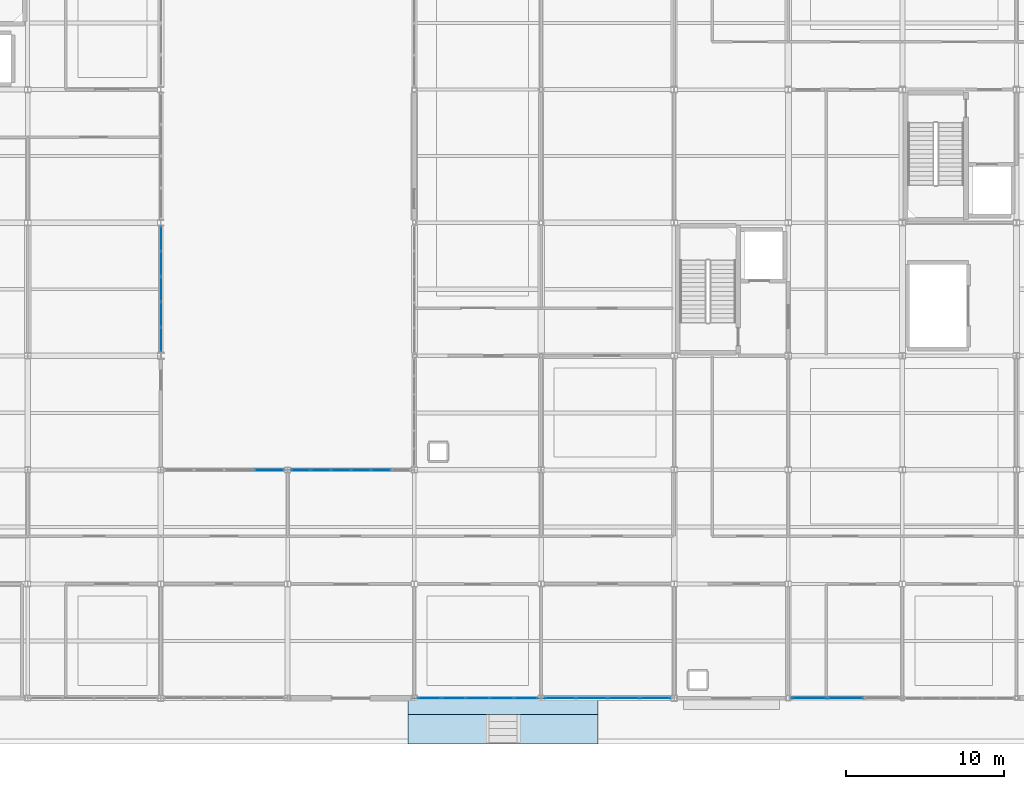
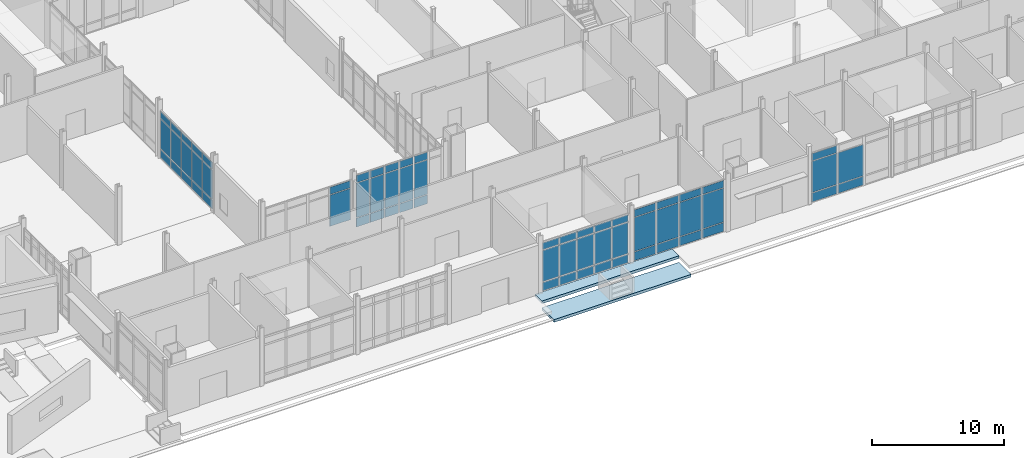
# One storey, part 142 of 229: 64 plates, 2 slabs, 6 elements without a shape of their own.
"""IFC4 building model written with IfcOpenShell, lengths in metres."""

from ifc_helpers import new_model, si_unit, direction, frame, origin, origin_2d, place, context, subcontext, project, spatial, polyline, rectangle, outline, extrude, material, layer, layer_set, type_object, element, aggregate, save


model = new_model("IFC4")

# Units and contexts
model_context = context("Model", 3, precision=1e-05, world=origin(), true_north=direction((0.0, 1.0)))
body_context = subcontext(model_context, "Body", "Model", "MODEL_VIEW")
ifc_project = project(units=[si_unit("LENGTHUNIT", "METRE"), si_unit("AREAUNIT", "SQUARE_METRE"), si_unit("VOLUMEUNIT", "CUBIC_METRE"), si_unit("PLANEANGLEUNIT", "RADIAN"), si_unit("MASSUNIT", "GRAM", prefix="KILO")], contexts=[model_context])

# Site, building, storey
site_placement = place(None, origin())
site = spatial("IfcSite", under=ifc_project, at=site_placement, CompositionType="ELEMENT")
building_placement = place(site_placement, origin())
building = spatial("IfcBuilding", under=site, at=building_placement, Name="Calvrana Isthmian Art Gallery", CompositionType="ELEMENT")
storey_placement = place(building_placement, origin())
storey = spatial("IfcBuildingStorey", under=building, at=storey_placement, Name="L00", CompositionType="ELEMENT", Elevation=0.0)

# Curtain wall, plates
ifc_material_1 = material(Name="Anodized bronze aluminium 6063-T6", Category="aluminium")
ifc_layer_1 = layer(ifc_material_1, 0.179931640625, Name="Anodized bronze aluminium 6063-T6")
ifc_layer_set_1 = layer_set([ifc_layer_1], Name="Anodized bronze aluminium 6063-T6")
curtain_wall_type_1 = type_object("IfcCurtainWallType", Name="CW-UNIT-080X48", PredefinedType="USERDEFINED", material=ifc_layer_set_1)
curtain_wall_1_placement = place(storey_placement, origin())
curtain_wall_1 = element("IfcCurtainWall", 1, at=curtain_wall_1_placement, inside=storey, type_object=curtain_wall_type_1, Name="Curtain wall CW-010", ObjectType="UNITISED CURTAIN WALL", PredefinedType="USERDEFINED")
ifc_material_2 = material(Name="Polychrome glazed terracotta", Category="masonry")
ifc_layer_2 = layer(ifc_material_2, 0.033935546875, Name="Polychrome glazed terracotta")
ifc_layer_set_2 = layer_set([ifc_layer_2], Name="Polychrome glazed terracotta")
plate_type_1 = type_object("IfcPlateType", Name="CWP-SPANDREL-34", PredefinedType="CURTAIN_PANEL", material=ifc_layer_set_2)
plate_1_placement = place(storey_placement, frame((111.591064453125, 0.0, 0.06005859375), z_axis=(0.0, 0.0, 1.0), x_axis=(-1.0, 0.0, 0.0)))
plate_1 = element("IfcPlate", 2, at=plate_1_placement, type_object=plate_type_1, Name="CW-010 panel 1.1", PredefinedType="CURTAIN_PANEL", context=body_context, shape_type="SweptSolid", body=[
    extrude(rectangle(XDim=1.894775390625, YDim=0.033935546875, at=origin_2d()), origin(), (0.0, 0.0, 1.0), 0.81005859375),
])
plate_2_placement = place(storey_placement, frame((111.591064453125, 0.0, 0.93017578125), z_axis=(0.0, 0.0, 1.0), x_axis=(-1.0, 0.0, 0.0)))
plate_2 = element("IfcPlate", 3, at=plate_2_placement, type_object=plate_type_1, Name="CW-010 panel 1.2", PredefinedType="CURTAIN_PANEL", context=body_context, shape_type="SweptSolid", body=[
    extrude(rectangle(XDim=1.894775390625, YDim=0.033935546875, at=origin_2d()), origin(), (0.0, 0.0, 1.0), 3.125244140625),
])
plate_3_placement = place(storey_placement, frame((111.591064453125, 0.0, 4.115234375), z_axis=(0.0, 0.0, 1.0), x_axis=(-1.0, 0.0, 0.0)))
plate_3 = element("IfcPlate", 4, at=plate_3_placement, type_object=plate_type_1, Name="CW-010 panel 1.3", PredefinedType="CURTAIN_PANEL", context=body_context, shape_type="SweptSolid", body=[
    extrude(rectangle(XDim=1.894775390625, YDim=0.033935546875, at=origin_2d()), origin(), (0.0, 0.0, 1.0), 0.659912109375),
])
plate_4_placement = place(storey_placement, frame((109.6025390625, 0.0, 0.06005859375), z_axis=(0.0, 0.0, 1.0), x_axis=(-1.0, 0.0, 0.0)))
plate_4 = element("IfcPlate", 5, at=plate_4_placement, type_object=plate_type_1, Name="CW-010 panel 2.1", PredefinedType="CURTAIN_PANEL", context=body_context, shape_type="SweptSolid", body=[
    extrude(rectangle(XDim=1.932373046875, YDim=0.033935546875, at=origin_2d()), origin(), (0.0, 0.0, 1.0), 0.81005859375),
])
plate_5_placement = place(storey_placement, frame((109.6025390625, 0.0, 0.93017578125), z_axis=(0.0, 0.0, 1.0), x_axis=(-1.0, 0.0, 0.0)))
plate_5 = element("IfcPlate", 6, at=plate_5_placement, type_object=plate_type_1, Name="CW-010 panel 2.2", PredefinedType="CURTAIN_PANEL", context=body_context, shape_type="SweptSolid", body=[
    extrude(rectangle(XDim=1.932373046875, YDim=0.033935546875, at=origin_2d()), origin(), (0.0, 0.0, 1.0), 3.125244140625),
])
plate_6_placement = place(storey_placement, frame((109.6025390625, 0.0, 4.115234375), z_axis=(0.0, 0.0, 1.0), x_axis=(-1.0, 0.0, 0.0)))
plate_6 = element("IfcPlate", 7, at=plate_6_placement, type_object=plate_type_1, Name="CW-010 panel 2.3", PredefinedType="CURTAIN_PANEL", context=body_context, shape_type="SweptSolid", body=[
    extrude(rectangle(XDim=1.932373046875, YDim=0.033935546875, at=origin_2d()), origin(), (0.0, 0.0, 1.0), 0.659912109375),
])
plate_7_placement = place(storey_placement, frame((107.594970703125, 0.0, 0.06005859375), z_axis=(0.0, 0.0, 1.0), x_axis=(-1.0, 0.0, 0.0)))
plate_7 = element("IfcPlate", 8, at=plate_7_placement, type_object=plate_type_1, Name="CW-010 panel 3.1", PredefinedType="CURTAIN_PANEL", context=body_context, shape_type="SweptSolid", body=[
    extrude(rectangle(XDim=1.932373046875, YDim=0.033935546875, at=origin_2d()), origin(), (0.0, 0.0, 1.0), 0.81005859375),
])
plate_8_placement = place(storey_placement, frame((107.594970703125, 0.0, 0.93017578125), z_axis=(0.0, 0.0, 1.0), x_axis=(-1.0, 0.0, 0.0)))
plate_8 = element("IfcPlate", 9, at=plate_8_placement, type_object=plate_type_1, Name="CW-010 panel 3.2", PredefinedType="CURTAIN_PANEL", context=body_context, shape_type="SweptSolid", body=[
    extrude(rectangle(XDim=1.932373046875, YDim=0.033935546875, at=origin_2d()), origin(), (0.0, 0.0, 1.0), 3.125244140625),
])
plate_9_placement = place(storey_placement, frame((107.594970703125, 0.0, 4.115234375), z_axis=(0.0, 0.0, 1.0), x_axis=(-1.0, 0.0, 0.0)))
plate_9 = element("IfcPlate", 10, at=plate_9_placement, type_object=plate_type_1, Name="CW-010 panel 3.3", PredefinedType="CURTAIN_PANEL", context=body_context, shape_type="SweptSolid", body=[
    extrude(rectangle(XDim=1.932373046875, YDim=0.033935546875, at=origin_2d()), origin(), (0.0, 0.0, 1.0), 0.659912109375),
])
plate_10_placement = place(storey_placement, frame((105.6064453125, 0.0, 0.06005859375), z_axis=(0.0, 0.0, 1.0), x_axis=(-1.0, 0.0, 0.0)))
plate_10 = element("IfcPlate", 11, at=plate_10_placement, type_object=plate_type_1, Name="CW-010 panel 4.1", PredefinedType="CURTAIN_PANEL", context=body_context, shape_type="SweptSolid", body=[
    extrude(rectangle(XDim=1.894775390625, YDim=0.033935546875, at=origin_2d()), origin(), (0.0, 0.0, 1.0), 0.81005859375),
])
plate_11_placement = place(storey_placement, frame((105.6064453125, 0.0, 0.93017578125), z_axis=(0.0, 0.0, 1.0), x_axis=(-1.0, 0.0, 0.0)))
plate_11 = element("IfcPlate", 12, at=plate_11_placement, type_object=plate_type_1, Name="CW-010 panel 4.2", PredefinedType="CURTAIN_PANEL", context=body_context, shape_type="SweptSolid", body=[
    extrude(rectangle(XDim=1.894775390625, YDim=0.033935546875, at=origin_2d()), origin(), (0.0, 0.0, 1.0), 3.125244140625),
])
plate_12_placement = place(storey_placement, frame((105.6064453125, 0.0, 4.115234375), z_axis=(0.0, 0.0, 1.0), x_axis=(-1.0, 0.0, 0.0)))
plate_12 = element("IfcPlate", 13, at=plate_12_placement, type_object=plate_type_1, Name="CW-010 panel 4.3", PredefinedType="CURTAIN_PANEL", context=body_context, shape_type="SweptSolid", body=[
    extrude(rectangle(XDim=1.894775390625, YDim=0.033935546875, at=origin_2d()), origin(), (0.0, 0.0, 1.0), 0.659912109375),
])
aggregate(curtain_wall_1, [plate_1, plate_2, plate_3, plate_4, plate_5, plate_6, plate_7, plate_8, plate_9, plate_10, plate_11, plate_12])

ifc_layer_3 = layer(ifc_material_1, 0.179931640625, Name="Anodized bronze aluminium 6063-T6")
ifc_layer_set_3 = layer_set([ifc_layer_3], Name="Anodized bronze aluminium 6063-T6")
curtain_wall_type_2 = type_object("IfcCurtainWallType", Name="CW-UNIT-076X46", PredefinedType="USERDEFINED", material=ifc_layer_set_3)
curtain_wall_2_placement = place(storey_placement, origin())
curtain_wall_2 = element("IfcCurtainWall", 14, at=curtain_wall_2_placement, inside=storey, type_object=curtain_wall_type_2, Name="Curtain wall CW-015", ObjectType="UNITISED CURTAIN WALL", PredefinedType="USERDEFINED")
plate_13_placement = place(storey_placement, frame((87.24462890625, 14.39990234375, 0.929931640625), z_axis=(0.0, 0.0, 1.0), x_axis=(1.0, 0.0, 0.0)))
plate_13 = element("IfcPlate", 15, at=plate_13_placement, type_object=plate_type_1, Name="CW-015 panel 4.2", PredefinedType="CURTAIN_PANEL", context=body_context, shape_type="SweptSolid", body=[
    extrude(rectangle(XDim=1.802734375, YDim=0.033935546875, at=origin_2d()), origin(), (0.0, 0.0, 1.0), 2.89697265625),
])
plate_14_placement = place(storey_placement, frame((87.24462890625, 14.39990234375, 3.88720703125), z_axis=(0.0, 0.0, 1.0), x_axis=(1.0, 0.0, 0.0)))
plate_14 = element("IfcPlate", 16, at=plate_14_placement, type_object=plate_type_1, Name="CW-015 panel 4.3", PredefinedType="CURTAIN_PANEL", context=body_context, shape_type="SweptSolid", body=[
    extrude(rectangle(XDim=1.802734375, YDim=0.033935546875, at=origin_2d()), origin(), (0.0, 0.0, 1.0), 0.659912109375),
])
aggregate(curtain_wall_2, [plate_13, plate_14])

curtain_wall_3_placement = place(storey_placement, origin())
curtain_wall_3 = element("IfcCurtainWall", 17, at=curtain_wall_3_placement, inside=storey, type_object=curtain_wall_type_2, Name="Curtain wall CW-009", ObjectType="UNITISED CURTAIN WALL", PredefinedType="USERDEFINED")
ifc_material_3 = material(Name="Low-E laminated solar glass", Category="glass")
ifc_layer_4 = layer(ifc_material_3, 0.028076171875, Name="Low-E laminated solar glass")
ifc_layer_set_4 = layer_set([ifc_layer_4], Name="Low-E laminated solar glass")
plate_type_2 = type_object("IfcPlateType", Name="CWP-VISION-28", PredefinedType="CURTAIN_PANEL", material=ifc_layer_set_4)
plate_15_placement = place(storey_placement, frame((103.435546875, 0.0, 0.074951171875), z_axis=(0.0, 0.0, 1.0), x_axis=(-1.0, 0.0, 0.0)))
plate_15 = element("IfcPlate", 18, at=plate_15_placement, type_object=plate_type_2, Name="CW-009 panel 1.1", PredefinedType="CURTAIN_PANEL", context=body_context, shape_type="SweptSolid", body=[
    extrude(rectangle(XDim=1.421142578125, YDim=0.028076171875, at=origin_2d()), origin(), (0.0, 0.0, 1.0), 0.78759765625),
])
plate_16_placement = place(storey_placement, frame((103.435546875, 0.0, 0.9375), z_axis=(0.0, 0.0, 1.0), x_axis=(-1.0, 0.0, 0.0)))
plate_16 = element("IfcPlate", 19, at=plate_16_placement, type_object=plate_type_2, Name="CW-009 panel 1.2", PredefinedType="CURTAIN_PANEL", context=body_context, shape_type="SweptSolid", body=[
    extrude(rectangle(XDim=1.421142578125, YDim=0.028076171875, at=origin_2d()), origin(), (0.0, 0.0, 1.0), 2.882080078125),
])
plate_17_placement = place(storey_placement, frame((103.435546875, 0.0, 3.89453125), z_axis=(0.0, 0.0, 1.0), x_axis=(-1.0, 0.0, 0.0)))
plate_17 = element("IfcPlate", 20, at=plate_17_placement, type_object=plate_type_2, Name="CW-009 panel 1.3", PredefinedType="CURTAIN_PANEL", context=body_context, shape_type="SweptSolid", body=[
    extrude(rectangle(XDim=1.421142578125, YDim=0.028076171875, at=origin_2d()), origin(), (0.0, 0.0, 1.0), 0.637451171875),
])
plate_18_placement = place(storey_placement, frame((101.9267578125, 0.0, 0.074951171875), z_axis=(0.0, 0.0, 1.0), x_axis=(-1.0, 0.0, 0.0)))
plate_18 = element("IfcPlate", 21, at=plate_18_placement, type_object=plate_type_2, Name="CW-009 panel 2.1", PredefinedType="CURTAIN_PANEL", context=body_context, shape_type="SweptSolid", body=[
    extrude(rectangle(XDim=1.4560546875, YDim=0.028076171875, at=origin_2d()), origin(), (0.0, 0.0, 1.0), 0.78759765625),
])
plate_19_placement = place(storey_placement, frame((101.9267578125, 0.0, 0.9375), z_axis=(0.0, 0.0, 1.0), x_axis=(-1.0, 0.0, 0.0)))
plate_19 = element("IfcPlate", 22, at=plate_19_placement, type_object=plate_type_2, Name="CW-009 panel 2.2", PredefinedType="CURTAIN_PANEL", context=body_context, shape_type="SweptSolid", body=[
    extrude(rectangle(XDim=1.4560546875, YDim=0.028076171875, at=origin_2d()), origin(), (0.0, 0.0, 1.0), 2.882080078125),
])
plate_20_placement = place(storey_placement, frame((101.9267578125, 0.0, 3.89453125), z_axis=(0.0, 0.0, 1.0), x_axis=(-1.0, 0.0, 0.0)))
plate_20 = element("IfcPlate", 23, at=plate_20_placement, type_object=plate_type_2, Name="CW-009 panel 2.3", PredefinedType="CURTAIN_PANEL", context=body_context, shape_type="SweptSolid", body=[
    extrude(rectangle(XDim=1.4560546875, YDim=0.028076171875, at=origin_2d()), origin(), (0.0, 0.0, 1.0), 0.637451171875),
])
plate_21_placement = place(storey_placement, frame((100.400634765625, 0.0, 0.074951171875), z_axis=(0.0, 0.0, 1.0), x_axis=(-1.0, 0.0, 0.0)))
plate_21 = element("IfcPlate", 24, at=plate_21_placement, type_object=plate_type_2, Name="CW-009 panel 3.1", PredefinedType="CURTAIN_PANEL", context=body_context, shape_type="SweptSolid", body=[
    extrude(rectangle(XDim=1.4560546875, YDim=0.028076171875, at=origin_2d()), origin(), (0.0, 0.0, 1.0), 0.78759765625),
])
plate_22_placement = place(storey_placement, frame((100.400634765625, 0.0, 0.9375), z_axis=(0.0, 0.0, 1.0), x_axis=(-1.0, 0.0, 0.0)))
plate_22 = element("IfcPlate", 25, at=plate_22_placement, type_object=plate_type_2, Name="CW-009 panel 3.2", PredefinedType="CURTAIN_PANEL", context=body_context, shape_type="SweptSolid", body=[
    extrude(rectangle(XDim=1.4560546875, YDim=0.028076171875, at=origin_2d()), origin(), (0.0, 0.0, 1.0), 2.882080078125),
])
plate_23_placement = place(storey_placement, frame((100.400634765625, 0.0, 3.89453125), z_axis=(0.0, 0.0, 1.0), x_axis=(-1.0, 0.0, 0.0)))
plate_23 = element("IfcPlate", 26, at=plate_23_placement, type_object=plate_type_2, Name="CW-009 panel 3.3", PredefinedType="CURTAIN_PANEL", context=body_context, shape_type="SweptSolid", body=[
    extrude(rectangle(XDim=1.4560546875, YDim=0.028076171875, at=origin_2d()), origin(), (0.0, 0.0, 1.0), 0.637451171875),
])
plate_24_placement = place(storey_placement, frame((98.874755859375, 0.0, 0.074951171875), z_axis=(0.0, 0.0, 1.0), x_axis=(-1.0, 0.0, 0.0)))
plate_24 = element("IfcPlate", 27, at=plate_24_placement, type_object=plate_type_2, Name="CW-009 panel 4.1", PredefinedType="CURTAIN_PANEL", context=body_context, shape_type="SweptSolid", body=[
    extrude(rectangle(XDim=1.4560546875, YDim=0.028076171875, at=origin_2d()), origin(), (0.0, 0.0, 1.0), 0.78759765625),
])
plate_25_placement = place(storey_placement, frame((98.874755859375, 0.0, 0.9375), z_axis=(0.0, 0.0, 1.0), x_axis=(-1.0, 0.0, 0.0)))
plate_25 = element("IfcPlate", 28, at=plate_25_placement, type_object=plate_type_2, Name="CW-009 panel 4.2", PredefinedType="CURTAIN_PANEL", context=body_context, shape_type="SweptSolid", body=[
    extrude(rectangle(XDim=1.4560546875, YDim=0.028076171875, at=origin_2d()), origin(), (0.0, 0.0, 1.0), 2.882080078125),
])
plate_26_placement = place(storey_placement, frame((98.874755859375, 0.0, 3.89453125), z_axis=(0.0, 0.0, 1.0), x_axis=(-1.0, 0.0, 0.0)))
plate_26 = element("IfcPlate", 29, at=plate_26_placement, type_object=plate_type_2, Name="CW-009 panel 4.3", PredefinedType="CURTAIN_PANEL", context=body_context, shape_type="SweptSolid", body=[
    extrude(rectangle(XDim=1.4560546875, YDim=0.028076171875, at=origin_2d()), origin(), (0.0, 0.0, 1.0), 0.637451171875),
])
plate_27_placement = place(storey_placement, frame((97.365966796875, 0.0, 0.074951171875), z_axis=(0.0, 0.0, 1.0), x_axis=(-1.0, 0.0, 0.0)))
plate_27 = element("IfcPlate", 30, at=plate_27_placement, type_object=plate_type_2, Name="CW-009 panel 5.1", PredefinedType="CURTAIN_PANEL", context=body_context, shape_type="SweptSolid", body=[
    extrude(rectangle(XDim=1.421142578125, YDim=0.028076171875, at=origin_2d()), origin(), (0.0, 0.0, 1.0), 0.78759765625),
])
plate_28_placement = place(storey_placement, frame((97.365966796875, 0.0, 0.9375), z_axis=(0.0, 0.0, 1.0), x_axis=(-1.0, 0.0, 0.0)))
plate_28 = element("IfcPlate", 31, at=plate_28_placement, type_object=plate_type_2, Name="CW-009 panel 5.2", PredefinedType="CURTAIN_PANEL", context=body_context, shape_type="SweptSolid", body=[
    extrude(rectangle(XDim=1.421142578125, YDim=0.028076171875, at=origin_2d()), origin(), (0.0, 0.0, 1.0), 2.882080078125),
])
plate_29_placement = place(storey_placement, frame((97.365966796875, 0.0, 3.89453125), z_axis=(0.0, 0.0, 1.0), x_axis=(-1.0, 0.0, 0.0)))
plate_29 = element("IfcPlate", 32, at=plate_29_placement, type_object=plate_type_2, Name="CW-009 panel 5.3", PredefinedType="CURTAIN_PANEL", context=body_context, shape_type="SweptSolid", body=[
    extrude(rectangle(XDim=1.421142578125, YDim=0.028076171875, at=origin_2d()), origin(), (0.0, 0.0, 1.0), 0.637451171875),
])
aggregate(curtain_wall_3, [plate_15, plate_16, plate_17, plate_18, plate_19, plate_20, plate_21, plate_22, plate_23, plate_24, plate_25, plate_26, plate_27, plate_28, plate_29])

ifc_layer_5 = layer(ifc_material_1, 0.179931640625, Name="Anodized bronze aluminium 6063-T6")
ifc_layer_set_5 = layer_set([ifc_layer_5], Name="Anodized bronze aluminium 6063-T6")
curtain_wall_type_3 = type_object("IfcCurtainWallType", Name="CW-STICK-069X46", PredefinedType="NOTDEFINED", material=ifc_layer_set_5)
curtain_wall_4_placement = place(storey_placement, origin())
curtain_wall_4 = element("IfcCurtainWall", 33, at=curtain_wall_4_placement, inside=storey, type_object=curtain_wall_type_3, Name="Curtain wall CW-011", PredefinedType="NOTDEFINED")
plate_30_placement = place(storey_placement, frame((123.62548828125, 0.0, 0.06005859375), z_axis=(0.0, 0.0, 1.0), x_axis=(-1.0, 0.0, 0.0)))
plate_30 = element("IfcPlate", 34, at=plate_30_placement, type_object=plate_type_2, Name="CW-011 panel 2.1", PredefinedType="CURTAIN_PANEL", context=body_context, shape_type="SweptSolid", body=[
    extrude(rectangle(XDim=2.2353515625, YDim=0.028076171875, at=origin_2d()), origin(), (0.0, 0.0, 1.0), 0.81005859375),
])
plate_31_placement = place(storey_placement, frame((123.62548828125, 0.0, 0.93017578125), z_axis=(0.0, 0.0, 1.0), x_axis=(-1.0, 0.0, 0.0)))
plate_31 = element("IfcPlate", 35, at=plate_31_placement, type_object=plate_type_2, Name="CW-011 panel 2.2", PredefinedType="CURTAIN_PANEL", context=body_context, shape_type="SweptSolid", body=[
    extrude(rectangle(XDim=2.2353515625, YDim=0.028076171875, at=origin_2d()), origin(), (0.0, 0.0, 1.0), 2.881103515625),
])
plate_32_placement = place(storey_placement, frame((121.330078125, 0.0, 0.06005859375), z_axis=(0.0, 0.0, 1.0), x_axis=(-1.0, 0.0, 0.0)))
plate_32 = element("IfcPlate", 36, at=plate_32_placement, type_object=plate_type_2, Name="CW-011 panel 3.1", PredefinedType="CURTAIN_PANEL", context=body_context, shape_type="SweptSolid", body=[
    extrude(rectangle(XDim=2.1953125, YDim=0.028076171875, at=origin_2d()), origin(), (0.0, 0.0, 1.0), 0.81005859375),
])
plate_33_placement = place(storey_placement, frame((121.330078125, 0.0, 0.93017578125), z_axis=(0.0, 0.0, 1.0), x_axis=(-1.0, 0.0, 0.0)))
plate_33 = element("IfcPlate", 37, at=plate_33_placement, type_object=plate_type_2, Name="CW-011 panel 3.2", PredefinedType="CURTAIN_PANEL", context=body_context, shape_type="SweptSolid", body=[
    extrude(rectangle(XDim=2.1953125, YDim=0.028076171875, at=origin_2d()), origin(), (0.0, 0.0, 1.0), 2.881103515625),
])
plate_34_placement = place(storey_placement, frame((121.330078125, 0.0, 3.87109375), z_axis=(0.0, 0.0, 1.0), x_axis=(-1.0, 0.0, 0.0)))
plate_34 = element("IfcPlate", 38, at=plate_34_placement, type_object=plate_type_2, Name="CW-011 panel 3.3", PredefinedType="CURTAIN_PANEL", context=body_context, shape_type="SweptSolid", body=[
    extrude(rectangle(XDim=2.1953125, YDim=0.028076171875, at=origin_2d()), origin(), (0.0, 0.0, 1.0), 0.659912109375),
])
aggregate(curtain_wall_4, [plate_30, plate_31, plate_32, plate_33, plate_34])

ifc_layer_6 = layer(ifc_material_1, 0.179931640625, Name="Anodized bronze aluminium 6063-T6")
ifc_layer_set_6 = layer_set([ifc_layer_6], Name="Anodized bronze aluminium 6063-T6")
curtain_wall_type_4 = type_object("IfcCurtainWallType", Name="CW-STICK-076X49", PredefinedType="NOTDEFINED", material=ifc_layer_set_6)
curtain_wall_5_placement = place(storey_placement, origin())
curtain_wall_5 = element("IfcCurtainWall", 39, at=curtain_wall_5_placement, inside=storey, type_object=curtain_wall_type_4, Name="Curtain wall CW-016", PredefinedType="NOTDEFINED")
plate_35_placement = place(storey_placement, frame((89.238525390625, 14.39990234375, 0.06005859375), z_axis=(0.0, 0.0, 1.0), x_axis=(1.0, 0.0, 0.0)))
plate_35 = element("IfcPlate", 40, at=plate_35_placement, type_object=plate_type_2, Name="CW-016 panel 1.1", PredefinedType="CURTAIN_PANEL", context=body_context, shape_type="SweptSolid", body=[
    extrude(rectangle(XDim=1.1591796875, YDim=0.028076171875, at=origin_2d()), origin(), (0.0, 0.0, 1.0), 0.81005859375),
])
plate_36_placement = place(storey_placement, frame((89.238525390625, 14.39990234375, 0.93017578125), z_axis=(0.0, 0.0, 1.0), x_axis=(1.0, 0.0, 0.0)))
plate_36 = element("IfcPlate", 41, at=plate_36_placement, type_object=plate_type_2, Name="CW-016 panel 1.2", PredefinedType="CURTAIN_PANEL", context=body_context, shape_type="SweptSolid", body=[
    extrude(rectangle(XDim=1.1591796875, YDim=0.028076171875, at=origin_2d()), origin(), (0.0, 0.0, 1.0), 3.176025390625),
])
plate_37_placement = place(storey_placement, frame((89.238525390625, 14.39990234375, 4.166015625), z_axis=(0.0, 0.0, 1.0), x_axis=(1.0, 0.0, 0.0)))
plate_37 = element("IfcPlate", 42, at=plate_37_placement, type_object=plate_type_2, Name="CW-016 panel 1.3", PredefinedType="CURTAIN_PANEL", context=body_context, shape_type="SweptSolid", body=[
    extrude(rectangle(XDim=1.1591796875, YDim=0.028076171875, at=origin_2d()), origin(), (0.0, 0.0, 1.0), 0.659912109375),
])
plate_38_placement = place(storey_placement, frame((90.491455078125, 14.39990234375, 0.06005859375), z_axis=(0.0, 0.0, 1.0), x_axis=(1.0, 0.0, 0.0)))
plate_38 = element("IfcPlate", 43, at=plate_38_placement, type_object=plate_type_2, Name="CW-016 panel 2.1", PredefinedType="CURTAIN_PANEL", context=body_context, shape_type="SweptSolid", body=[
    extrude(rectangle(XDim=1.196533203125, YDim=0.028076171875, at=origin_2d()), origin(), (0.0, 0.0, 1.0), 0.81005859375),
])
plate_39_placement = place(storey_placement, frame((90.491455078125, 14.39990234375, 0.93017578125), z_axis=(0.0, 0.0, 1.0), x_axis=(1.0, 0.0, 0.0)))
plate_39 = element("IfcPlate", 44, at=plate_39_placement, type_object=plate_type_2, Name="CW-016 panel 2.2", PredefinedType="CURTAIN_PANEL", context=body_context, shape_type="SweptSolid", body=[
    extrude(rectangle(XDim=1.196533203125, YDim=0.028076171875, at=origin_2d()), origin(), (0.0, 0.0, 1.0), 3.176025390625),
])
plate_40_placement = place(storey_placement, frame((90.491455078125, 14.39990234375, 4.166015625), z_axis=(0.0, 0.0, 1.0), x_axis=(1.0, 0.0, 0.0)))
plate_40 = element("IfcPlate", 45, at=plate_40_placement, type_object=plate_type_2, Name="CW-016 panel 2.3", PredefinedType="CURTAIN_PANEL", context=body_context, shape_type="SweptSolid", body=[
    extrude(rectangle(XDim=1.196533203125, YDim=0.028076171875, at=origin_2d()), origin(), (0.0, 0.0, 1.0), 0.659912109375),
])
plate_41_placement = place(storey_placement, frame((91.762939453125, 14.39990234375, 0.06005859375), z_axis=(0.0, 0.0, 1.0), x_axis=(1.0, 0.0, 0.0)))
plate_41 = element("IfcPlate", 46, at=plate_41_placement, type_object=plate_type_2, Name="CW-016 panel 3.1", PredefinedType="CURTAIN_PANEL", context=body_context, shape_type="SweptSolid", body=[
    extrude(rectangle(XDim=1.196533203125, YDim=0.028076171875, at=origin_2d()), origin(), (0.0, 0.0, 1.0), 0.81005859375),
])
plate_42_placement = place(storey_placement, frame((91.762939453125, 14.39990234375, 0.93017578125), z_axis=(0.0, 0.0, 1.0), x_axis=(1.0, 0.0, 0.0)))
plate_42 = element("IfcPlate", 47, at=plate_42_placement, type_object=plate_type_2, Name="CW-016 panel 3.2", PredefinedType="CURTAIN_PANEL", context=body_context, shape_type="SweptSolid", body=[
    extrude(rectangle(XDim=1.196533203125, YDim=0.028076171875, at=origin_2d()), origin(), (0.0, 0.0, 1.0), 3.176025390625),
])
plate_43_placement = place(storey_placement, frame((91.762939453125, 14.39990234375, 4.166015625), z_axis=(0.0, 0.0, 1.0), x_axis=(1.0, 0.0, 0.0)))
plate_43 = element("IfcPlate", 48, at=plate_43_placement, type_object=plate_type_2, Name="CW-016 panel 3.3", PredefinedType="CURTAIN_PANEL", context=body_context, shape_type="SweptSolid", body=[
    extrude(rectangle(XDim=1.196533203125, YDim=0.028076171875, at=origin_2d()), origin(), (0.0, 0.0, 1.0), 0.659912109375),
])
plate_44_placement = place(storey_placement, frame((93.034423828125, 14.39990234375, 0.06005859375), z_axis=(0.0, 0.0, 1.0), x_axis=(1.0, 0.0, 0.0)))
plate_44 = element("IfcPlate", 49, at=plate_44_placement, type_object=plate_type_2, Name="CW-016 panel 4.1", PredefinedType="CURTAIN_PANEL", context=body_context, shape_type="SweptSolid", body=[
    extrude(rectangle(XDim=1.196533203125, YDim=0.028076171875, at=origin_2d()), origin(), (0.0, 0.0, 1.0), 0.81005859375),
])
plate_45_placement = place(storey_placement, frame((93.034423828125, 14.39990234375, 0.93017578125), z_axis=(0.0, 0.0, 1.0), x_axis=(1.0, 0.0, 0.0)))
plate_45 = element("IfcPlate", 50, at=plate_45_placement, type_object=plate_type_2, Name="CW-016 panel 4.2", PredefinedType="CURTAIN_PANEL", context=body_context, shape_type="SweptSolid", body=[
    extrude(rectangle(XDim=1.196533203125, YDim=0.028076171875, at=origin_2d()), origin(), (0.0, 0.0, 1.0), 3.176025390625),
])
plate_46_placement = place(storey_placement, frame((93.034423828125, 14.39990234375, 4.166015625), z_axis=(0.0, 0.0, 1.0), x_axis=(1.0, 0.0, 0.0)))
plate_46 = element("IfcPlate", 51, at=plate_46_placement, type_object=plate_type_2, Name="CW-016 panel 4.3", PredefinedType="CURTAIN_PANEL", context=body_context, shape_type="SweptSolid", body=[
    extrude(rectangle(XDim=1.196533203125, YDim=0.028076171875, at=origin_2d()), origin(), (0.0, 0.0, 1.0), 0.659912109375),
])
plate_47_placement = place(storey_placement, frame((94.30615234375, 14.39990234375, 0.06005859375), z_axis=(0.0, 0.0, 1.0), x_axis=(1.0, 0.0, 0.0)))
plate_47 = element("IfcPlate", 52, at=plate_47_placement, type_object=plate_type_2, Name="CW-016 panel 5.1", PredefinedType="CURTAIN_PANEL", context=body_context, shape_type="SweptSolid", body=[
    extrude(rectangle(XDim=1.196533203125, YDim=0.028076171875, at=origin_2d()), origin(), (0.0, 0.0, 1.0), 0.81005859375),
])
plate_48_placement = place(storey_placement, frame((94.30615234375, 14.39990234375, 0.93017578125), z_axis=(0.0, 0.0, 1.0), x_axis=(1.0, 0.0, 0.0)))
plate_48 = element("IfcPlate", 53, at=plate_48_placement, type_object=plate_type_2, Name="CW-016 panel 5.2", PredefinedType="CURTAIN_PANEL", context=body_context, shape_type="SweptSolid", body=[
    extrude(rectangle(XDim=1.196533203125, YDim=0.028076171875, at=origin_2d()), origin(), (0.0, 0.0, 1.0), 3.176025390625),
])
plate_49_placement = place(storey_placement, frame((94.30615234375, 14.39990234375, 4.166015625), z_axis=(0.0, 0.0, 1.0), x_axis=(1.0, 0.0, 0.0)))
plate_49 = element("IfcPlate", 54, at=plate_49_placement, type_object=plate_type_2, Name="CW-016 panel 5.3", PredefinedType="CURTAIN_PANEL", context=body_context, shape_type="SweptSolid", body=[
    extrude(rectangle(XDim=1.196533203125, YDim=0.028076171875, at=origin_2d()), origin(), (0.0, 0.0, 1.0), 0.659912109375),
])
aggregate(curtain_wall_5, [plate_35, plate_36, plate_37, plate_38, plate_39, plate_40, plate_41, plate_42, plate_43, plate_44, plate_45, plate_46, plate_47, plate_48, plate_49])

ifc_layer_7 = layer(ifc_material_1, 0.179931640625, Name="Anodized bronze aluminium 6063-T6")
ifc_layer_set_7 = layer_set([ifc_layer_7], Name="Anodized bronze aluminium 6063-T6")
curtain_wall_type_5 = type_object("IfcCurtainWallType", Name="CW-UNIT-080X44", PredefinedType="USERDEFINED", material=ifc_layer_set_7)
curtain_wall_6_placement = place(storey_placement, origin())
curtain_wall_6 = element("IfcCurtainWall", 55, at=curtain_wall_6_placement, inside=storey, type_object=curtain_wall_type_5, Name="Curtain wall CW-069", ObjectType="UNITISED CURTAIN WALL", PredefinedType="USERDEFINED")
plate_50_placement = place(storey_placement, frame((80.39990234375, 28.98974609375, 0.074951171875), z_axis=(0.0, 0.0, 1.0), x_axis=(0.0, -1.0, 0.0)))
plate_50 = element("IfcPlate", 56, at=plate_50_placement, type_object=plate_type_2, Name="CW-069 panel 1.1", PredefinedType="CURTAIN_PANEL", context=body_context, shape_type="SweptSolid", body=[
    extrude(rectangle(XDim=1.49462890625, YDim=0.028076171875, at=origin_2d()), origin(), (0.0, 0.0, 1.0), 0.78759765625),
])
plate_51_placement = place(storey_placement, frame((80.39990234375, 28.98974609375, 0.9375), z_axis=(0.0, 0.0, 1.0), x_axis=(0.0, -1.0, 0.0)))
plate_51 = element("IfcPlate", 57, at=plate_51_placement, type_object=plate_type_2, Name="CW-069 panel 1.2", PredefinedType="CURTAIN_PANEL", context=body_context, shape_type="SweptSolid", body=[
    extrude(rectangle(XDim=1.49462890625, YDim=0.028076171875, at=origin_2d()), origin(), (0.0, 0.0, 1.0), 2.721923828125),
])
plate_52_placement = place(storey_placement, frame((80.39990234375, 28.98974609375, 3.734375), z_axis=(0.0, 0.0, 1.0), x_axis=(0.0, -1.0, 0.0)))
plate_52 = element("IfcPlate", 58, at=plate_52_placement, type_object=plate_type_2, Name="CW-069 panel 1.3", PredefinedType="CURTAIN_PANEL", context=body_context, shape_type="SweptSolid", body=[
    extrude(rectangle(XDim=1.49462890625, YDim=0.028076171875, at=origin_2d()), origin(), (0.0, 0.0, 1.0), 0.637451171875),
])
plate_53_placement = place(storey_placement, frame((80.39990234375, 27.407470703125, 0.074951171875), z_axis=(0.0, 0.0, 1.0), x_axis=(0.0, -1.0, 0.0)))
plate_53 = element("IfcPlate", 59, at=plate_53_placement, type_object=plate_type_2, Name="CW-069 panel 2.1", PredefinedType="CURTAIN_PANEL", context=body_context, shape_type="SweptSolid", body=[
    extrude(rectangle(XDim=1.52978515625, YDim=0.028076171875, at=origin_2d()), origin(), (0.0, 0.0, 1.0), 0.78759765625),
])
plate_54_placement = place(storey_placement, frame((80.39990234375, 27.407470703125, 0.9375), z_axis=(0.0, 0.0, 1.0), x_axis=(0.0, -1.0, 0.0)))
plate_54 = element("IfcPlate", 60, at=plate_54_placement, type_object=plate_type_2, Name="CW-069 panel 2.2", PredefinedType="CURTAIN_PANEL", context=body_context, shape_type="SweptSolid", body=[
    extrude(rectangle(XDim=1.52978515625, YDim=0.028076171875, at=origin_2d()), origin(), (0.0, 0.0, 1.0), 2.721923828125),
])
plate_55_placement = place(storey_placement, frame((80.39990234375, 27.407470703125, 3.734375), z_axis=(0.0, 0.0, 1.0), x_axis=(0.0, -1.0, 0.0)))
plate_55 = element("IfcPlate", 61, at=plate_55_placement, type_object=plate_type_2, Name="CW-069 panel 2.3", PredefinedType="CURTAIN_PANEL", context=body_context, shape_type="SweptSolid", body=[
    extrude(rectangle(XDim=1.52978515625, YDim=0.028076171875, at=origin_2d()), origin(), (0.0, 0.0, 1.0), 0.637451171875),
])
plate_56_placement = place(storey_placement, frame((80.39990234375, 25.807861328125, 0.074951171875), z_axis=(0.0, 0.0, 1.0), x_axis=(0.0, -1.0, 0.0)))
plate_56 = element("IfcPlate", 62, at=plate_56_placement, type_object=plate_type_2, Name="CW-069 panel 3.1", PredefinedType="CURTAIN_PANEL", context=body_context, shape_type="SweptSolid", body=[
    extrude(rectangle(XDim=1.52978515625, YDim=0.028076171875, at=origin_2d()), origin(), (0.0, 0.0, 1.0), 0.78759765625),
])
plate_57_placement = place(storey_placement, frame((80.39990234375, 25.807861328125, 0.9375), z_axis=(0.0, 0.0, 1.0), x_axis=(0.0, -1.0, 0.0)))
plate_57 = element("IfcPlate", 63, at=plate_57_placement, type_object=plate_type_2, Name="CW-069 panel 3.2", PredefinedType="CURTAIN_PANEL", context=body_context, shape_type="SweptSolid", body=[
    extrude(rectangle(XDim=1.52978515625, YDim=0.028076171875, at=origin_2d()), origin(), (0.0, 0.0, 1.0), 2.721923828125),
])
plate_58_placement = place(storey_placement, frame((80.39990234375, 25.807861328125, 3.734375), z_axis=(0.0, 0.0, 1.0), x_axis=(0.0, -1.0, 0.0)))
plate_58 = element("IfcPlate", 64, at=plate_58_placement, type_object=plate_type_2, Name="CW-069 panel 3.3", PredefinedType="CURTAIN_PANEL", context=body_context, shape_type="SweptSolid", body=[
    extrude(rectangle(XDim=1.52978515625, YDim=0.028076171875, at=origin_2d()), origin(), (0.0, 0.0, 1.0), 0.637451171875),
])
plate_59_placement = place(storey_placement, frame((80.39990234375, 24.2080078125, 0.074951171875), z_axis=(0.0, 0.0, 1.0), x_axis=(0.0, -1.0, 0.0)))
plate_59 = element("IfcPlate", 65, at=plate_59_placement, type_object=plate_type_2, Name="CW-069 panel 4.1", PredefinedType="CURTAIN_PANEL", context=body_context, shape_type="SweptSolid", body=[
    extrude(rectangle(XDim=1.52978515625, YDim=0.028076171875, at=origin_2d()), origin(), (0.0, 0.0, 1.0), 0.78759765625),
])
plate_60_placement = place(storey_placement, frame((80.39990234375, 24.2080078125, 0.9375), z_axis=(0.0, 0.0, 1.0), x_axis=(0.0, -1.0, 0.0)))
plate_60 = element("IfcPlate", 66, at=plate_60_placement, type_object=plate_type_2, Name="CW-069 panel 4.2", PredefinedType="CURTAIN_PANEL", context=body_context, shape_type="SweptSolid", body=[
    extrude(rectangle(XDim=1.52978515625, YDim=0.028076171875, at=origin_2d()), origin(), (0.0, 0.0, 1.0), 2.721923828125),
])
plate_61_placement = place(storey_placement, frame((80.39990234375, 24.2080078125, 3.734375), z_axis=(0.0, 0.0, 1.0), x_axis=(0.0, -1.0, 0.0)))
plate_61 = element("IfcPlate", 67, at=plate_61_placement, type_object=plate_type_2, Name="CW-069 panel 4.3", PredefinedType="CURTAIN_PANEL", context=body_context, shape_type="SweptSolid", body=[
    extrude(rectangle(XDim=1.52978515625, YDim=0.028076171875, at=origin_2d()), origin(), (0.0, 0.0, 1.0), 0.637451171875),
])
plate_62_placement = place(storey_placement, frame((80.39990234375, 22.625732421875, 0.074951171875), z_axis=(0.0, 0.0, 1.0), x_axis=(0.0, -1.0, 0.0)))
plate_62 = element("IfcPlate", 68, at=plate_62_placement, type_object=plate_type_2, Name="CW-069 panel 5.1", PredefinedType="CURTAIN_PANEL", context=body_context, shape_type="SweptSolid", body=[
    extrude(rectangle(XDim=1.49462890625, YDim=0.028076171875, at=origin_2d()), origin(), (0.0, 0.0, 1.0), 0.78759765625),
])
plate_63_placement = place(storey_placement, frame((80.39990234375, 22.625732421875, 0.9375), z_axis=(0.0, 0.0, 1.0), x_axis=(0.0, -1.0, 0.0)))
plate_63 = element("IfcPlate", 69, at=plate_63_placement, type_object=plate_type_2, Name="CW-069 panel 5.2", PredefinedType="CURTAIN_PANEL", context=body_context, shape_type="SweptSolid", body=[
    extrude(rectangle(XDim=1.49462890625, YDim=0.028076171875, at=origin_2d()), origin(), (0.0, 0.0, 1.0), 2.721923828125),
])
plate_64_placement = place(storey_placement, frame((80.39990234375, 22.625732421875, 3.734375), z_axis=(0.0, 0.0, 1.0), x_axis=(0.0, -1.0, 0.0)))
plate_64 = element("IfcPlate", 70, at=plate_64_placement, type_object=plate_type_2, Name="CW-069 panel 5.3", PredefinedType="CURTAIN_PANEL", context=body_context, shape_type="SweptSolid", body=[
    extrude(rectangle(XDim=1.49462890625, YDim=0.028076171875, at=origin_2d()), origin(), (0.0, 0.0, 1.0), 0.637451171875),
])
aggregate(curtain_wall_6, [plate_50, plate_51, plate_52, plate_53, plate_54, plate_55, plate_56, plate_57, plate_58, plate_59, plate_60, plate_61, plate_62, plate_63, plate_64])

# Slabs
ifc_material_4 = material(Name="Concrete C40/50", Category="concrete")
ifc_layer_8 = layer(ifc_material_4, 0.199951171875, Name="Concrete C40/50")
ifc_layer_set_8 = layer_set([ifc_layer_8], Name="Concrete C40/50")
slab_type_1 = type_object("IfcSlabType", Name="SLB-LAND-200", PredefinedType="LANDING", material=ifc_layer_set_8)
slab_1_placement = place(storey_placement, frame((0.0, 0.0, -0.85009765625)))
element("IfcSlab", 71, at=slab_1_placement, inside=storey, type_object=slab_type_1, Name="Courtyard and entry plaza deck SLB_APR_SE_BENCH", PredefinedType="LANDING", context=body_context, shape_type="SweptSolid", body=[
    extrude(outline(polyline([(108.0, -2.89990234375), (108.0, -1.050048828125), (96.0, -1.050048828125), (96.0, -2.89990234375), (108.0, -2.89990234375)])), origin(), (0.0, 0.0, 1.0), 0.25),
])
ifc_layer_9 = layer(ifc_material_4, 0.199951171875, Name="Concrete C40/50")
ifc_layer_set_9 = layer_set([ifc_layer_9], Name="Concrete C40/50")
slab_type_2 = type_object("IfcSlabType", Name="SLB-TER-200", PredefinedType="FLOOR", material=ifc_layer_set_9)
slab_2_placement = place(storey_placement, frame((0.0, 0.0, -0.25)))
element("IfcSlab", 72, at=slab_2_placement, inside=storey, type_object=slab_type_2, Name="Courtyard and entry plaza deck SLB_APR_SE_INNER", PredefinedType="FLOOR", context=body_context, shape_type="SweptSolid", body=[
    extrude(outline(polyline([(108.0, -1.050048828125), (108.0, 0.0), (96.0, 0.0), (96.0, -1.050048828125), (108.0, -1.050048828125)])), origin(), (0.0, 0.0, 1.0), 0.25),
])

save(model, "model.ifc")
